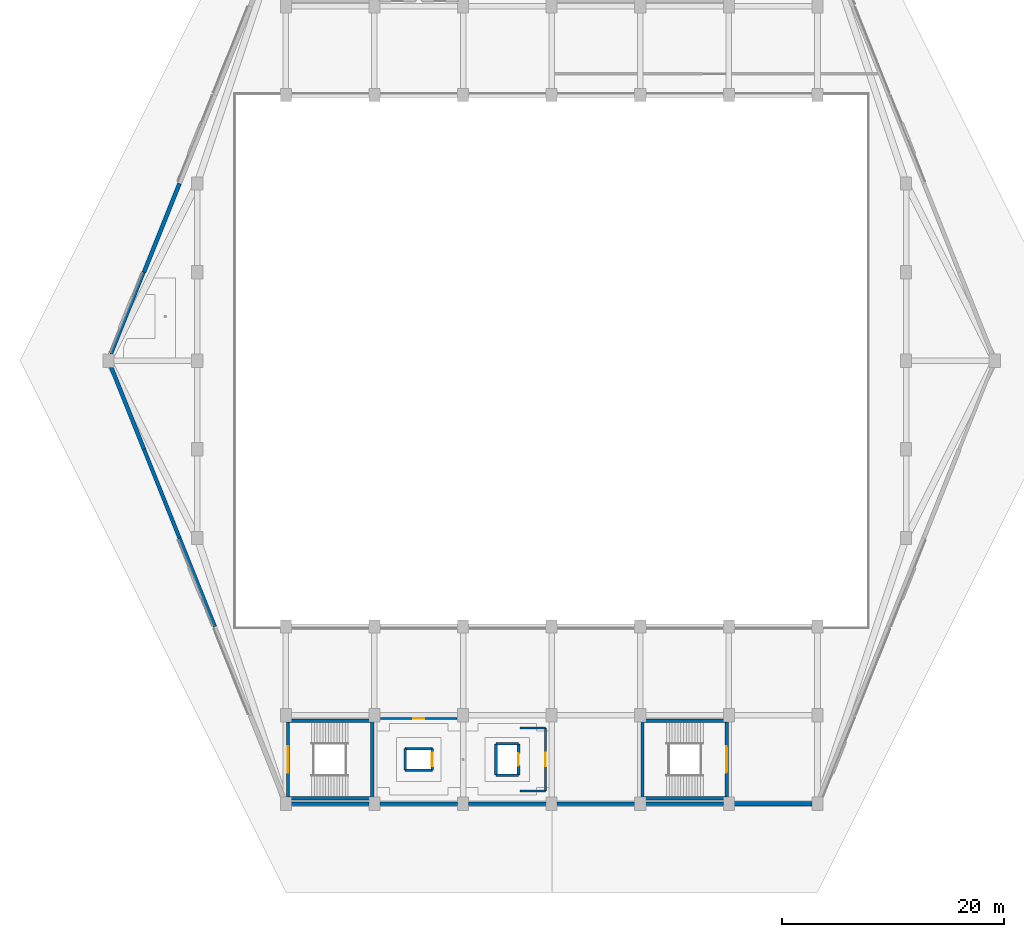
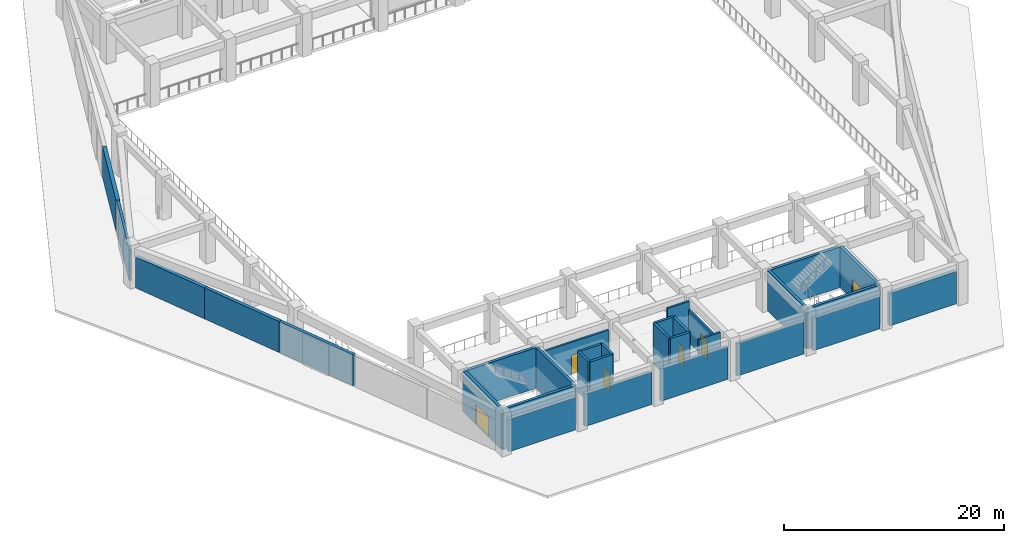
# One storey, part 2 of 8: 31 walls, 6 doors, 6 openings.
"""IFC4 building model written with IfcOpenShell, lengths in metres."""

import ifcopenshell
import ifcopenshell.guid

model = None  # the IFC model being written
_history = None  # IfcOwnerHistory: only IFC2X3 demands one
_inside = {}  # id of a spatial element -> (the spatial element, [elements in it])
_under = {}  # id of a project, library or spatial element -> (it, [spatial elements below it])
_declared = {}  # id of a project -> (the project, [libraries it declares])
_typed = {}  # id of a type object -> (the type object, [elements of that type])
_made_of = {}  # id of a material, layer set ... -> (it, [elements and type objects made of it])


def new_model(schema):
    """Start an empty IFC model of exactly this schema.

    Asked for "IFC4X3", IfcOpenShell would pick the latest addendum, in which some entities
    have other attributes; the version numbers below select the first issue.
    IFC2X3 requires an IfcOwnerHistory on every rooted entity: one is made here for all.
    """
    global model, _history
    if schema == "IFC4X3":
        model = ifcopenshell.file(schema_version=(4, 3, 0, 0))
    else:
        model = ifcopenshell.file(schema=schema)
    _inside.clear()
    _under.clear()
    _declared.clear()
    _typed.clear()
    _made_of.clear()
    _history = None
    if model.schema == "IFC2X3":
        org = make("IfcOrganization", Name="unknown")
        user = make(
            "IfcPersonAndOrganization",
            ThePerson=make("IfcPerson", FamilyName="unknown"),
            TheOrganization=org,
        )
        app = make(
            "IfcApplication",
            ApplicationDeveloper=org,
            Version="unknown",
            ApplicationFullName="unknown",
            ApplicationIdentifier="unknown",
        )
        _history = make(
            "IfcOwnerHistory",
            OwningUser=user,
            OwningApplication=app,
            ChangeAction="ADDED",
            CreationDate=0,
        )
    return model


def make(cls, **values):
    """One entity of the class cls with the attributes given. An attribute that is None is left unset."""
    return model.create_entity(
        cls, **{name: value for name, value in values.items() if value is not None}
    )


def rooted(cls, **values):
    """An entity with a GlobalId (a new one), such as an element, a storey or a relation."""
    return make(cls, GlobalId=ifcopenshell.guid.new(), OwnerHistory=_history, **values)


def si_unit(unit_type, name, prefix=None):
    """IfcSIUnit, for example si_unit("LENGTHUNIT", "METRE", prefix="MILLI")."""
    return make("IfcSIUnit", UnitType=unit_type, Prefix=prefix, Name=name)


def assignment(units):
    """IfcUnitAssignment: the units of a project."""
    return None if units is None else make("IfcUnitAssignment", Units=units)


def point(xyz):
    """IfcCartesianPoint."""
    return None if xyz is None else make("IfcCartesianPoint", Coordinates=xyz)


def direction(xyz):
    """IfcDirection."""
    return None if xyz is None else make("IfcDirection", DirectionRatios=xyz)


def frame(location, z_axis=None, x_axis=None):
    """IfcAxis2Placement3D, a coordinate frame: its origin and axes. An axis left out is left unset."""
    return make(
        "IfcAxis2Placement3D",
        Location=point(location),
        Axis=direction(z_axis),
        RefDirection=direction(x_axis),
    )


def frame_2d(location, x_axis=None):
    """IfcAxis2Placement2D, a coordinate frame in the plane: its origin and x axis."""
    return make(
        "IfcAxis2Placement2D", Location=point(location), RefDirection=direction(x_axis)
    )


def origin():
    """The frame at (0, 0, 0) with its axes left unset."""
    return frame((0.0, 0.0, 0.0))


def place(relative_to, where):
    """IfcLocalPlacement: puts the frame where relative to a parent placement (None: the world)."""
    return make(
        "IfcLocalPlacement", PlacementRelTo=relative_to, RelativePlacement=where
    )


def context(
    kind, dimensions, precision=None, world=None, true_north=None, identifier=None
):
    """IfcGeometricRepresentationContext, for example the 3D "Model" context."""
    return make(
        "IfcGeometricRepresentationContext",
        ContextIdentifier=identifier,
        ContextType=kind,
        CoordinateSpaceDimension=dimensions,
        Precision=precision,
        WorldCoordinateSystem=world,
        TrueNorth=true_north,
    )


def subcontext(parent, identifier, kind, view, scale=None):
    """IfcGeometricRepresentationSubContext, for example "Body" below "Model"."""
    return make(
        "IfcGeometricRepresentationSubContext",
        ContextIdentifier=identifier,
        ContextType=kind,
        ParentContext=parent,
        TargetScale=scale,
        TargetView=view,
    )


def project(units=None, contexts=None):
    """IfcProject with its units and contexts."""
    return rooted(
        "IfcProject",
        Name="project",
        RepresentationContexts=contexts,
        UnitsInContext=assignment(units),
    )


def spatial(cls, under=None, at=None, **own):
    """A site, building, storey or space (cls), placed at a placement, below another one or the project."""
    s = rooted(cls, ObjectPlacement=at, **own)
    if under is not None:
        _under.setdefault(under.id(), (under, []))[1].append(s)
    return s


def profile(cls, at=None, kind="AREA", **sizes):
    """A parametric profile (cls). Its sizes go by their IFC names, for example OverallWidth=200.0."""
    return make(cls, ProfileType=kind, Position=at, **sizes)


def rectangle(**sizes):
    """IfcRectangleProfileDef."""
    return profile("IfcRectangleProfileDef", **sizes)


def extrude(swept, where, along, depth):
    """IfcExtrudedAreaSolid: the profile swept, set in the frame where, extruded along a direction by depth."""
    return make(
        "IfcExtrudedAreaSolid",
        SweptArea=swept,
        Position=where,
        ExtrudedDirection=direction(along),
        Depth=depth,
    )


def shape(context_of_items, identifier, shape_type, items):
    """IfcShapeRepresentation: the items that make up one representation, for example the "Body"."""
    return make(
        "IfcShapeRepresentation",
        ContextOfItems=context_of_items,
        RepresentationIdentifier=identifier,
        RepresentationType=shape_type,
        Items=items,
    )


def material(Name=None, Category=None):
    """IfcMaterial."""
    return make("IfcMaterial", Name=Name, Category=Category)


def layer(
    of_material, thickness, ventilated=None, Name=None, Category=None, Priority=None
):
    """IfcMaterialLayer: one layer of a wall or slab, of a material (None: an air gap)."""
    return make(
        "IfcMaterialLayer",
        Material=of_material,
        LayerThickness=thickness,
        IsVentilated=ventilated,
        Name=Name,
        Category=Category,
        Priority=Priority,
    )


def layer_set(layers, Name=None):
    """IfcMaterialLayerSet."""
    return make("IfcMaterialLayerSet", MaterialLayers=layers, LayerSetName=Name)


def made_of(thing, what):
    """Note that an element or type object is made of a material, layer set ...; save() writes the relation."""
    if what is not None:
        _made_of.setdefault(what.id(), (what, []))[1].append(thing)
    return thing


def type_object(cls, material=None, **own):
    """A type object (cls), such as IfcWallType, which elements share."""
    return made_of(rooted(cls, **own), material)


def element(
    cls,
    number,
    at=None,
    inside=None,
    cuts=None,
    type_object=None,
    material=None,
    context=None,
    identifier="Body",
    shape_type=None,
    held_by="IfcProductDefinitionShape",
    body=None,
    shapes=None,
    **own,
):
    """One element of the class cls, such as IfcWall. Its Tag is "e" and its number.

    at: its placement. inside: the storey or other place that contains it. cuts: it is an
    opening in that element (IfcRelVoidsElement). A single representation is given by context,
    identifier, shape_type and body (its items); several are given by shapes. held_by: the class
    of the entity that holds the representations. save() writes the other relations.
    """
    e = rooted(cls, Tag="e%d" % number, ObjectPlacement=at, **own)
    if body is not None:
        shapes = [shape(context, identifier, shape_type, body)]
    if shapes is not None:
        e.Representation = make(held_by, Representations=shapes)
    if inside is not None:
        _inside.setdefault(inside.id(), (inside, []))[1].append(e)
    if cuts is not None:
        rooted(
            "IfcRelVoidsElement", RelatingBuildingElement=cuts, RelatedOpeningElement=e
        )
    if type_object is not None:
        _typed.setdefault(type_object.id(), (type_object, []))[1].append(e)
    return made_of(e, material)


def fill(opening, filler):
    """IfcRelFillsElement: the door or window that sits in an opening."""
    return rooted(
        "IfcRelFillsElement",
        RelatingOpeningElement=opening,
        RelatedBuildingElement=filler,
    )


def aggregate(whole, parts):
    """IfcRelAggregates: a whole, such as a stair, and the parts it consists of."""
    return rooted("IfcRelAggregates", RelatingObject=whole, RelatedObjects=parts)


def save(model, path):
    """Write the relations noted so far, then the file.

    IfcRelAggregates (storeys below a building ...), IfcRelContainedInSpatialStructure (elements
    in a storey), IfcRelDefinesByType, IfcRelAssociatesMaterial and IfcRelDeclares: one each for
    every whole, place, type object, material and project.
    """
    for whole, parts in _under.values():
        aggregate(whole, parts)
    for where, things in _inside.values():
        rooted(
            "IfcRelContainedInSpatialStructure",
            RelatedElements=things,
            RelatingStructure=where,
        )
    for kind, things in _typed.values():
        rooted("IfcRelDefinesByType", RelatedObjects=things, RelatingType=kind)
    for what, things in _made_of.values():
        rooted("IfcRelAssociatesMaterial", RelatedObjects=things, RelatingMaterial=what)
    for by, libraries in _declared.values():
        rooted("IfcRelDeclares", RelatingContext=by, RelatedDefinitions=libraries)
    model.write(path)


model = new_model("IFC4")

# Units and contexts
model_context = context("Model", 3, precision=1e-05, world=origin(), true_north=direction((0.0, 1.0)))
body_context = subcontext(model_context, "Body", "Model", "MODEL_VIEW")
ifc_project = project(units=[si_unit("LENGTHUNIT", "METRE"), si_unit("AREAUNIT", "SQUARE_METRE"), si_unit("VOLUMEUNIT", "CUBIC_METRE"), si_unit("PLANEANGLEUNIT", "RADIAN"), si_unit("MASSUNIT", "GRAM", prefix="KILO")], contexts=[model_context])

# Site, building, storey
site_placement = place(None, origin())
site = spatial("IfcSite", under=ifc_project, at=site_placement, CompositionType="ELEMENT")
building_placement = place(site_placement, origin())
building = spatial("IfcBuilding", under=site, at=building_placement, Name="Tazarka Park Arena", CompositionType="ELEMENT")
storey_placement = place(building_placement, frame((0.0, 0.0, 19.800048828125)))
storey = spatial("IfcBuildingStorey", under=building, at=storey_placement, Name="L04", CompositionType="ELEMENT", Elevation=19.800048828125)

# Wall
ifc_material_1 = material(Name="Concrete C40/50", Category="concrete")
ifc_layer_1 = layer(ifc_material_1, 0.300048828125, Name="Concrete C40/50")
ifc_layer_set_1 = layer_set([ifc_layer_1], Name="Concrete C40/50")
wall_type_1 = type_object("IfcWallType", Name="IWAL-CW-S1", PredefinedType="SHEAR", material=ifc_layer_set_1)
wall_1_placement = place(storey_placement, frame((71.800048828125, 24.5, 0.0), z_axis=(0.0, 0.0, 1.0), x_axis=(-1.0, 0.0, 0.0)))
element("IfcWall", 1, at=wall_1_placement, inside=storey, type_object=wall_type_1, Name="SCW-L04-ST09-S", PredefinedType="SHEAR", context=body_context, shape_type="SweptSolid", body=[
    extrude(rectangle(XDim=7.60009765625, YDim=0.300048828125, at=frame_2d((3.800048828125, 0.0))), origin(), (0.0, 0.0, 1.0), 4.5),
])

# Wall, opening, door
wall_2_placement = place(storey_placement, frame((64.199951171875, 24.5, 0.0), z_axis=(0.0, 0.0, 1.0), x_axis=(0.0, 1.0, 0.0)))
wall_2 = element("IfcWall", 2, at=wall_2_placement, inside=storey, type_object=wall_type_1, Name="SCW-L04-ST09-W", PredefinedType="SHEAR", context=body_context, shape_type="SweptSolid", body=[
    extrude(rectangle(XDim=7.0, YDim=0.300048828125, at=frame_2d((3.5, 0.0))), origin(), (0.0, 0.0, 1.0), 4.5),
])
opening_1_placement = place(wall_2_placement, frame((2.300048828125, 0.0, 0.0)))
opening_1 = element("IfcOpeningElement", 3, at=opening_1_placement, cuts=wall_2, Name="Opening ID-05", PredefinedType="OPENING", context=body_context, shape_type="SweptSolid", body=[
    extrude(rectangle(XDim=2.39990234375, YDim=2.199951171875, at=frame_2d((1.199951171875, 1.10009765625))), frame((0.0, 0.16015625, 0.0), z_axis=(0.0, -1.0, 0.0), x_axis=(1.0, 0.0, 0.0)), (0.0, 0.0, 1.0), 0.320068359375),
])
ifc_material_2 = material(Name="Fire-rated powder-coated steel and acoustic timber", Category="steel")
door_type_1 = type_object("IfcDoorType", Name="IDR-ID-05", OperationType="NOTDEFINED", PredefinedType="DOOR", material=ifc_material_2)
door_1_placement = place(opening_1_placement, frame((2.39990234375, 0.0, 0.0), z_axis=(0.0, 0.0, 1.0), x_axis=(-1.0, 0.0, 0.0)))
door_1 = element("IfcDoor", 4, at=door_1_placement, inside=storey, type_object=door_type_1, Name="Exit Stair Door ST09-L04", OperationType="DOUBLE_DOOR_SINGLE_SWING", OverallHeight=2.199951171875, OverallWidth=2.39990234375, PredefinedType="DOOR", context=body_context, shape_type="SweptSolid", body=[
    extrude(rectangle(XDim=2.39990234375, YDim=2.199951171875, at=frame_2d((1.199951171875, 1.10009765625))), frame((0.0, 0.02490234375, 0.0), z_axis=(0.0, -1.0, 0.0), x_axis=(1.0, 0.0, 0.0)), (0.0, 0.0, 1.0), 0.050048828125),
])
fill(opening_1, door_1)

# Walls
wall_3_placement = place(storey_placement, frame((64.199951171875, 31.5, 0.0), z_axis=(0.0, 0.0, 1.0), x_axis=(1.0, 0.0, 0.0)))
element("IfcWall", 5, at=wall_3_placement, inside=storey, type_object=wall_type_1, Name="SCW-L04-ST09-N", PredefinedType="SHEAR", context=body_context, shape_type="SweptSolid", body=[
    extrude(rectangle(XDim=7.60009765625, YDim=0.300048828125, at=frame_2d((3.800048828125, 0.0))), origin(), (0.0, 0.0, 1.0), 4.5),
])
wall_4_placement = place(storey_placement, frame((71.800048828125, 31.5, 0.0), z_axis=(0.0, 0.0, 1.0), x_axis=(0.0, -1.0, 0.0)))
element("IfcWall", 6, at=wall_4_placement, inside=storey, type_object=wall_type_1, Name="SCW-L04-ST09-E", PredefinedType="SHEAR", context=body_context, shape_type="SweptSolid", body=[
    extrude(rectangle(XDim=7.0, YDim=0.300048828125, at=frame_2d((3.5, 0.0))), origin(), (0.0, 0.0, 1.0), 4.5),
])
wall_5_placement = place(storey_placement, frame((103.800048828125, 24.5, 0.0), z_axis=(0.0, 0.0, 1.0), x_axis=(-1.0, 0.0, 0.0)))
element("IfcWall", 7, at=wall_5_placement, inside=storey, type_object=wall_type_1, Name="SCW-L04-ST11-S", PredefinedType="SHEAR", context=body_context, shape_type="SweptSolid", body=[
    extrude(rectangle(XDim=7.60009765625, YDim=0.300048828125, at=frame_2d((3.800048828125, 0.0))), origin(), (0.0, 0.0, 1.0), 4.5),
])
wall_6_placement = place(storey_placement, frame((96.199951171875, 24.5, 0.0), z_axis=(0.0, 0.0, 1.0), x_axis=(0.0, 1.0, 0.0)))
element("IfcWall", 8, at=wall_6_placement, inside=storey, type_object=wall_type_1, Name="SCW-L04-ST11-W", PredefinedType="SHEAR", context=body_context, shape_type="SweptSolid", body=[
    extrude(rectangle(XDim=7.0, YDim=0.300048828125, at=frame_2d((3.5, 0.0))), origin(), (0.0, 0.0, 1.0), 4.5),
])
wall_7_placement = place(storey_placement, frame((96.199951171875, 31.5, 0.0), z_axis=(0.0, 0.0, 1.0), x_axis=(1.0, 0.0, 0.0)))
element("IfcWall", 9, at=wall_7_placement, inside=storey, type_object=wall_type_1, Name="SCW-L04-ST11-N", PredefinedType="SHEAR", context=body_context, shape_type="SweptSolid", body=[
    extrude(rectangle(XDim=7.60009765625, YDim=0.300048828125, at=frame_2d((3.800048828125, 0.0))), origin(), (0.0, 0.0, 1.0), 4.5),
])

# Wall, opening, door
wall_8_placement = place(storey_placement, frame((103.800048828125, 31.5, 0.0), z_axis=(0.0, 0.0, 1.0), x_axis=(0.0, -1.0, 0.0)))
wall_8 = element("IfcWall", 10, at=wall_8_placement, inside=storey, type_object=wall_type_1, Name="SCW-L04-ST11-E", PredefinedType="SHEAR", context=body_context, shape_type="SweptSolid", body=[
    extrude(rectangle(XDim=7.0, YDim=0.300048828125, at=frame_2d((3.5, 0.0))), origin(), (0.0, 0.0, 1.0), 4.5),
])
opening_2_placement = place(wall_8_placement, frame((2.300048828125, 0.0, 0.0)))
opening_2 = element("IfcOpeningElement", 11, at=opening_2_placement, cuts=wall_8, Name="Opening ID-05", PredefinedType="OPENING", context=body_context, shape_type="SweptSolid", body=[
    extrude(rectangle(XDim=2.39990234375, YDim=2.199951171875, at=frame_2d((1.199951171875, 1.10009765625))), frame((0.0, 0.16015625, 0.0), z_axis=(0.0, -1.0, 0.0), x_axis=(1.0, 0.0, 0.0)), (0.0, 0.0, 1.0), 0.320068359375),
])
door_2_placement = place(opening_2_placement, frame((2.39990234375, 0.0, 0.0), z_axis=(0.0, 0.0, 1.0), x_axis=(-1.0, 0.0, 0.0)))
door_2 = element("IfcDoor", 12, at=door_2_placement, inside=storey, type_object=door_type_1, Name="Exit Stair Door ST11-L04", OperationType="DOUBLE_DOOR_SINGLE_SWING", OverallHeight=2.199951171875, OverallWidth=2.39990234375, PredefinedType="DOOR", context=body_context, shape_type="SweptSolid", body=[
    extrude(rectangle(XDim=2.39990234375, YDim=2.199951171875, at=frame_2d((1.199951171875, 1.10009765625))), frame((0.0, 0.02490234375, 0.0), z_axis=(0.0, -1.0, 0.0), x_axis=(1.0, 0.0, 0.0)), (0.0, 0.0, 1.0), 0.050048828125),
])
fill(opening_2, door_2)

# Walls
ifc_material_3 = material(Name="Concrete C40/50", Category="concrete")
ifc_layer_2 = layer(ifc_material_3, 0.260009765625, Name="Concrete C40/50")
ifc_layer_set_2 = layer_set([ifc_layer_2], Name="Concrete C40/50")
wall_type_2 = type_object("IfcWallType", Name="IWAL-CW-S3", PredefinedType="SHEAR", material=ifc_layer_set_2)
wall_9_placement = place(storey_placement, frame((82.97998046875, 26.580078125, 0.0), z_axis=(0.0, 0.0, 1.0), x_axis=(0.0, 1.0, 0.0)))
element("IfcWall", 13, at=wall_9_placement, inside=storey, type_object=wall_type_2, Name="LSW-L04-LF-04-W", PredefinedType="SHEAR", context=body_context, shape_type="SweptSolid", body=[
    extrude(rectangle(XDim=2.83984375, YDim=0.260009765625, at=frame_2d((1.419921875, 0.0))), origin(), (0.0, 0.0, 1.0), 4.5),
])
for number, where, z_axis, x_axis, name in (
    (14, (82.97998046875, 29.419921875, 0.0), (0.0, 0.0, 1.0), (1.0, 0.0, 0.0), "LSW-L04-LF-04-N"),
    (15, (85.02001953125, 26.580078125, 0.0), (0.0, 0.0, 1.0), (-1.0, 0.0, 0.0), "LSW-L04-LF-04-S"),
):
    element("IfcWall", number, at=place(storey_placement, frame(where, z_axis=z_axis, x_axis=x_axis)), inside=storey, type_object=wall_type_2, Name=name, PredefinedType="SHEAR", context=body_context, shape_type="SweptSolid", body=[
        extrude(rectangle(XDim=2.0400390625, YDim=0.260009765625, at=frame_2d((1.02001953125, 0.0))), origin(), (0.0, 0.0, 1.0), 4.5),
    ])

# Wall, opening, door
wall_10_placement = place(storey_placement, frame((85.02001953125, 29.419921875, 0.0), z_axis=(0.0, 0.0, 1.0), x_axis=(0.0, -1.0, 0.0)))
wall_10 = element("IfcWall", 16, at=wall_10_placement, inside=storey, type_object=wall_type_2, Name="LSW-L04-LF-04-E", PredefinedType="SHEAR", context=body_context, shape_type="SweptSolid", body=[
    extrude(rectangle(XDim=2.83984375, YDim=0.260009765625, at=frame_2d((1.419921875, 0.0))), origin(), (0.0, 0.0, 1.0), 4.5),
])
opening_3_placement = place(wall_10_placement, frame((0.8701171875, 0.0, 0.0)))
opening_3 = element("IfcOpeningElement", 17, at=opening_3_placement, cuts=wall_10, Name="Opening LD-01", PredefinedType="OPENING", context=body_context, shape_type="SweptSolid", body=[
    extrude(rectangle(XDim=1.10009765625, YDim=2.14990234375, at=frame_2d((0.550048828125, 1.074951171875))), frame((0.0, 0.14013671875, 0.0), z_axis=(0.0, -1.0, 0.0), x_axis=(1.0, 0.0, 0.0)), (0.0, 0.0, 1.0), 0.280029296875),
])
ifc_material_4 = material(Name="Fire-rated powder-coated steel and acoustic timber", Category="steel")
door_type_2 = type_object("IfcDoorType", Name="IDR-LD-01", OperationType="NOTDEFINED", PredefinedType="DOOR", material=ifc_material_4)
door_3_placement = place(opening_3_placement, origin())
door_3 = element("IfcDoor", 18, at=door_3_placement, inside=storey, type_object=door_type_2, Name="Lift Landing Door LF-04-L04", OperationType="SLIDING_TO_LEFT", OverallHeight=2.14990234375, OverallWidth=1.10009765625, PredefinedType="DOOR", context=body_context, shape_type="SweptSolid", body=[
    extrude(rectangle(XDim=1.10009765625, YDim=2.14990234375, at=frame_2d((0.550048828125, 1.074951171875))), frame((0.0, 0.02490234375, 0.0), z_axis=(0.0, -1.0, 0.0), x_axis=(1.0, 0.0, 0.0)), (0.0, 0.0, 1.0), 0.050048828125),
])
fill(opening_3, door_3)

# Walls
wall_11_placement = place(storey_placement, frame((74.780029296875, 27.030029296875, 0.0), z_axis=(0.0, 0.0, 1.0), x_axis=(0.0, 1.0, 0.0)))
element("IfcWall", 19, at=wall_11_placement, inside=storey, type_object=wall_type_2, Name="LSW-L04-LF-08-W", PredefinedType="SHEAR", context=body_context, shape_type="SweptSolid", body=[
    extrude(rectangle(XDim=1.93994140625, YDim=0.260009765625, at=frame_2d((0.969970703125, 0.0))), origin(), (0.0, 0.0, 1.0), 4.5),
])
for number, where, z_axis, x_axis, name in (
    (20, (74.780029296875, 28.969970703125, 0.0), (0.0, 0.0, 1.0), (1.0, 0.0, 0.0), "LSW-L04-LF-08-N"),
    (21, (77.219970703125, 27.030029296875, 0.0), (0.0, 0.0, 1.0), (-1.0, 0.0, 0.0), "LSW-L04-LF-08-S"),
):
    element("IfcWall", number, at=place(storey_placement, frame(where, z_axis=z_axis, x_axis=x_axis)), inside=storey, type_object=wall_type_2, Name=name, PredefinedType="SHEAR", context=body_context, shape_type="SweptSolid", body=[
        extrude(rectangle(XDim=2.43994140625, YDim=0.260009765625, at=frame_2d((1.219970703125, 0.0))), origin(), (0.0, 0.0, 1.0), 4.5),
    ])

# Wall, opening, door
wall_12_placement = place(storey_placement, frame((77.219970703125, 28.969970703125, 0.0), z_axis=(0.0, 0.0, 1.0), x_axis=(0.0, -1.0, 0.0)))
wall_12 = element("IfcWall", 22, at=wall_12_placement, inside=storey, type_object=wall_type_2, Name="LSW-L04-LF-08-E", PredefinedType="SHEAR", context=body_context, shape_type="SweptSolid", body=[
    extrude(rectangle(XDim=1.93994140625, YDim=0.260009765625, at=frame_2d((0.969970703125, 0.0))), origin(), (0.0, 0.0, 1.0), 4.5),
])
opening_4_placement = place(wall_12_placement, frame((0.3701171875, 0.0, 0.0)))
opening_4 = element("IfcOpeningElement", 23, at=opening_4_placement, cuts=wall_12, Name="Opening LD-02", PredefinedType="OPENING", context=body_context, shape_type="SweptSolid", body=[
    extrude(rectangle(XDim=1.199951171875, YDim=2.14990234375, at=frame_2d((0.60009765625, 1.074951171875))), frame((0.0, 0.14013671875, 0.0), z_axis=(0.0, -1.0, 0.0), x_axis=(1.0, 0.0, 0.0)), (0.0, 0.0, 1.0), 0.280029296875),
])
ifc_material_5 = material(Name="Fire-rated powder-coated steel and acoustic timber", Category="steel")
door_type_3 = type_object("IfcDoorType", Name="IDR-LD-02", OperationType="NOTDEFINED", PredefinedType="DOOR", material=ifc_material_5)
door_4_placement = place(opening_4_placement, origin())
door_4 = element("IfcDoor", 24, at=door_4_placement, inside=storey, type_object=door_type_3, Name="Lift Landing Door LF-08-L04", OperationType="SLIDING_TO_LEFT", OverallHeight=2.14990234375, OverallWidth=1.199951171875, PredefinedType="DOOR", context=body_context, shape_type="SweptSolid", body=[
    extrude(rectangle(XDim=1.199951171875, YDim=2.14990234375, at=frame_2d((0.60009765625, 1.074951171875))), frame((0.0, 0.02490234375, 0.0), z_axis=(0.0, -1.0, 0.0), x_axis=(1.0, 0.0, 0.0)), (0.0, 0.0, 1.0), 0.050048828125),
])
fill(opening_4, door_4)

# Walls
ifc_material_6 = material(Name="Reinforced masonry compartment wall", Category="masonry")
ifc_layer_3 = layer(ifc_material_6, 0.199951171875, Name="Reinforced masonry compartment wall")
ifc_layer_set_3 = layer_set([ifc_layer_3], Name="Reinforced masonry compartment wall")
wall_type_3 = type_object("IfcWallType", Name="IWAL-PT-04", PredefinedType="PARTITIONING", material=ifc_layer_set_3)
for number, where, z_axis, x_axis, name in (
    (25, (85.14990234375, 30.85009765625, 0.0), (0.0, 0.0, 1.0), (1.0, 0.0, 0.0), "FFW-L04-LF-04-N"),
    (26, (87.449951171875, 25.14990234375, 0.0), (0.0, 0.0, 1.0), (-1.0, 0.0, 0.0), "FFW-L04-LF-04-S"),
):
    element("IfcWall", number, at=place(storey_placement, frame(where, z_axis=z_axis, x_axis=x_axis)), inside=storey, type_object=wall_type_3, Name=name, PredefinedType="PARTITIONING", context=body_context, shape_type="SweptSolid", body=[
        extrude(rectangle(XDim=2.300048828125, YDim=0.199951171875, at=frame_2d((1.14990234375, 0.0))), origin(), (0.0, 0.0, 1.0), 4.5),
    ])

# Wall, opening, door
wall_13_placement = place(storey_placement, frame((87.449951171875, 30.85009765625, 0.0), z_axis=(0.0, 0.0, 1.0), x_axis=(0.0, -1.0, 0.0)))
wall_13 = element("IfcWall", 27, at=wall_13_placement, inside=storey, type_object=wall_type_3, Name="FFW-L04-LF-04-E", PredefinedType="PARTITIONING", context=body_context, shape_type="SweptSolid", body=[
    extrude(rectangle(XDim=5.7001953125, YDim=0.199951171875, at=frame_2d((2.85009765625, 0.0))), origin(), (0.0, 0.0, 1.0), 3.599853515625),
])
opening_5_placement = place(wall_13_placement, frame((2.25, 0.0, 0.0)))
opening_5 = element("IfcOpeningElement", 28, at=opening_5_placement, cuts=wall_13, Name="Opening ID-03", PredefinedType="OPENING", context=body_context, shape_type="SweptSolid", body=[
    extrude(rectangle(XDim=1.199951171875, YDim=2.199951171875, at=frame_2d((0.60009765625, 1.10009765625))), frame((0.0, 0.10986328125, 0.0), z_axis=(0.0, -1.0, 0.0), x_axis=(1.0, 0.0, 0.0)), (0.0, 0.0, 1.0), 0.219970703125),
])
ifc_material_7 = material(Name="Fire-rated powder-coated steel and acoustic timber", Category="steel")
door_type_4 = type_object("IfcDoorType", Name="IDR-ID-03", OperationType="NOTDEFINED", PredefinedType="DOOR", material=ifc_material_7)
door_5_placement = place(opening_5_placement, origin())
door_5 = element("IfcDoor", 29, at=door_5_placement, inside=storey, type_object=door_type_4, Name="Firefighting Lobby Door LF-04-L04", OperationType="SINGLE_SWING_LEFT", OverallHeight=2.199951171875, OverallWidth=1.199951171875, PredefinedType="DOOR", context=body_context, shape_type="SweptSolid", body=[
    extrude(rectangle(XDim=1.199951171875, YDim=2.199951171875, at=frame_2d((0.60009765625, 1.10009765625))), frame((0.0, 0.02490234375, 0.0), z_axis=(0.0, -1.0, 0.0), x_axis=(1.0, 0.0, 0.0)), (0.0, 0.0, 1.0), 0.050048828125),
])
fill(opening_5, door_5)

ifc_material_8 = material(Name="Acoustic broadcast studio partition")
ifc_layer_4 = layer(ifc_material_8, 0.219970703125, Name="Acoustic broadcast studio partition")
ifc_layer_set_4 = layer_set([ifc_layer_4], Name="Acoustic broadcast studio partition")
wall_type_4 = type_object("IfcWallType", Name="IWAL-PT-05", PredefinedType="PARTITIONING", material=ifc_layer_set_4)
wall_14_placement = place(storey_placement, frame((72.542236328125, 31.699951171875, 0.0), z_axis=(0.0, 0.0, 1.0), x_axis=(1.0, 0.0, 0.0)))
wall_14 = element("IfcWall", 30, at=wall_14_placement, inside=storey, type_object=wall_type_4, Name="PRT-L04-022", PredefinedType="PARTITIONING", context=body_context, shape_type="SweptSolid", body=[
    extrude(rectangle(XDim=6.91552734375, YDim=0.219970703125, at=frame_2d((3.457763671875, 0.0))), origin(), (0.0, 0.0, 1.0), 3.599853515625),
])
opening_6_placement = place(wall_14_placement, frame((2.98291015625, 0.0, 0.0)))
opening_6 = element("IfcOpeningElement", 31, at=opening_6_placement, cuts=wall_14, Name="Opening ID-09", PredefinedType="OPENING", context=body_context, shape_type="SweptSolid", body=[
    extrude(rectangle(XDim=0.949951171875, YDim=2.14990234375, at=frame_2d((0.47509765625, 1.074951171875))), frame((0.0, 0.1201171875, 0.0), z_axis=(0.0, -1.0, 0.0), x_axis=(1.0, 0.0, 0.0)), (0.0, 0.0, 1.0), 0.239990234375),
])
ifc_material_9 = material(Name="Fire-rated powder-coated steel and acoustic timber", Category="steel")
door_type_5 = type_object("IfcDoorType", Name="IDR-ID-09", OperationType="NOTDEFINED", PredefinedType="DOOR", material=ifc_material_9)
door_6_placement = place(opening_6_placement, origin())
door_6 = element("IfcDoor", 32, at=door_6_placement, inside=storey, type_object=door_type_5, Name="Room Door South Sky Hospitality Suite Ring", OperationType="SINGLE_SWING_RIGHT", OverallHeight=2.14990234375, OverallWidth=0.949951171875, PredefinedType="DOOR", context=body_context, shape_type="SweptSolid", body=[
    extrude(rectangle(XDim=0.949951171875, YDim=2.14990234375, at=frame_2d((0.47509765625, 1.074951171875))), frame((0.0, 0.02490234375, 0.0), z_axis=(0.0, -1.0, 0.0), x_axis=(1.0, 0.0, 0.0)), (0.0, 0.0, 1.0), 0.050048828125),
])
fill(opening_6, door_6)

# Walls
ifc_material_10 = material(Name="Precast concrete C40/50", Category="concrete")
ifc_layer_5 = layer(ifc_material_10, 0.320068359375, Name="Precast concrete C40/50")
ifc_layer_set_5 = layer_set([ifc_layer_5], Name="Precast concrete C40/50")
wall_type_5 = type_object("IfcWallType", Name="WAL-EW-02", PredefinedType="SOLIDWALL", material=ifc_layer_set_5)
wall_15_placement = place(storey_placement, frame((57.60009765625, 40.0, 0.0), z_axis=(0.0, 0.0, 1.0), x_axis=(-0.37141021739, 0.928468874232, 0.0)))
element("IfcWall", 33, at=wall_15_placement, inside=storey, type_object=wall_type_5, Name="EW-L04-0353", PredefinedType="SOLIDWALL", context=body_context, shape_type="SweptSolid", body=[
    extrude(rectangle(XDim=8.616455078125, YDim=0.320068359375, at=frame_2d((4.30810546875, 0.0))), origin(), (0.0, 0.0, 1.0), 3.449951171875),
])
ifc_material_11 = material(Name="Concrete C40/50", Category="concrete")
ifc_layer_6 = layer(ifc_material_11, 0.340087890625, Name="Concrete C40/50")
ifc_layer_set_6 = layer_set([ifc_layer_6], Name="Concrete C40/50")
wall_type_6 = type_object("IfcWallType", Name="WAL-EW-03", PredefinedType="SOLIDWALL", material=ifc_layer_set_6)
wall_16_placement = place(storey_placement, frame((54.39990234375, 48.0, 0.0), z_axis=(0.0, 0.0, 1.0), x_axis=(-0.371385791018, 0.928478645005, 0.0)))
element("IfcWall", 34, at=wall_16_placement, inside=storey, type_object=wall_type_6, Name="EW-L04-0354", PredefinedType="SOLIDWALL", context=body_context, shape_type="SweptSolid", body=[
    extrude(rectangle(XDim=8.6162109375, YDim=0.340087890625, at=frame_2d((4.30810546875, 0.0))), origin(), (0.0, 0.0, 1.0), 3.449951171875),
])
ifc_material_12 = material(Name="Concrete C40/50", Category="concrete")
ifc_layer_7 = layer(ifc_material_12, 0.360107421875, Name="Concrete C40/50")
ifc_layer_set_7 = layer_set([ifc_layer_7], Name="Concrete C40/50")
wall_type_7 = type_object("IfcWallType", Name="WAL-EW-04", PredefinedType="SOLIDWALL", material=ifc_layer_set_7)
wall_17_placement = place(storey_placement, frame((51.199951171875, 56.0, 0.0), z_axis=(0.0, 0.0, 1.0), x_axis=(-0.371395943584, 0.928474583976, 0.0)))
element("IfcWall", 35, at=wall_17_placement, inside=storey, type_object=wall_type_7, Name="EW-L04-0355", PredefinedType="SOLIDWALL", context=body_context, shape_type="SweptSolid", body=[
    extrude(rectangle(XDim=7.991455078125, YDim=0.360107421875, at=frame_2d((3.99560546875, 0.0))), origin(), (0.0, 0.0, 1.0), 3.449951171875),
])
ifc_material_13 = material(Name="Concrete C50/60", Category="concrete")
ifc_layer_8 = layer(ifc_material_13, 0.3798828125, Name="Concrete C50/60")
ifc_layer_set_8 = layer_set([ifc_layer_8], Name="Concrete C50/60")
wall_type_8 = type_object("IfcWallType", Name="WAL-EW-05", PredefinedType="SOLIDWALL", material=ifc_layer_set_8)
wall_18_placement = place(storey_placement, frame((111.52001953125, 24.0, 0.0), z_axis=(0.0, 0.0, 1.0), x_axis=(-1.0, 0.0, 0.0)))
element("IfcWall", 36, at=wall_18_placement, inside=storey, type_object=wall_type_8, Name="EW-L04-0324", PredefinedType="SOLIDWALL", context=body_context, shape_type="SweptSolid", body=[
    extrude(rectangle(XDim=7.0400390625, YDim=0.3798828125, at=frame_2d((3.52001953125, 0.0))), origin(), (0.0, 0.0, 1.0), 3.599853515625),
])
ifc_material_14 = material(Name="Precast concrete C40/50", Category="concrete")
ifc_layer_9 = layer(ifc_material_14, 0.280029296875, Name="Precast concrete C40/50")
ifc_layer_set_9 = layer_set([ifc_layer_9], Name="Precast concrete C40/50")
wall_type_9 = type_object("IfcWallType", Name="WAL-EW-06", PredefinedType="SOLIDWALL", material=ifc_layer_set_9)
wall_19_placement = place(storey_placement, frame((103.52001953125, 24.0, 0.0), z_axis=(0.0, 0.0, 1.0), x_axis=(-1.0, 0.0, 0.0)))
element("IfcWall", 37, at=wall_19_placement, inside=storey, type_object=wall_type_9, Name="EW-L04-0325", PredefinedType="SOLIDWALL", context=body_context, shape_type="SweptSolid", body=[
    extrude(rectangle(XDim=7.0400390625, YDim=0.280029296875, at=frame_2d((3.52001953125, 0.0))), origin(), (0.0, 0.0, 1.0), 3.599853515625),
])
ifc_material_15 = material(Name="Precast concrete C40/50", Category="concrete")
ifc_layer_10 = layer(ifc_material_15, 0.2900390625, Name="Precast concrete C40/50")
ifc_layer_set_10 = layer_set([ifc_layer_10], Name="Precast concrete C40/50")
wall_type_10 = type_object("IfcWallType", Name="WAL-EW-07", PredefinedType="SOLIDWALL", material=ifc_layer_set_10)
wall_20_placement = place(storey_placement, frame((95.52001953125, 24.0, 0.0), z_axis=(0.0, 0.0, 1.0), x_axis=(-1.0, 0.0, 0.0)))
element("IfcWall", 38, at=wall_20_placement, inside=storey, type_object=wall_type_10, Name="EW-L04-0326", PredefinedType="SOLIDWALL", context=body_context, shape_type="SweptSolid", body=[
    extrude(rectangle(XDim=7.0400390625, YDim=0.2900390625, at=frame_2d((3.52001953125, 0.0))), origin(), (0.0, 0.0, 1.0), 3.599853515625),
])
ifc_material_16 = material(Name="Precast concrete C40/50", Category="concrete")
ifc_layer_11 = layer(ifc_material_16, 0.31005859375, Name="Precast concrete C40/50")
ifc_layer_set_11 = layer_set([ifc_layer_11], Name="Precast concrete C40/50")
wall_type_11 = type_object("IfcWallType", Name="WAL-EW-08", PredefinedType="SOLIDWALL", material=ifc_layer_set_11)
wall_21_placement = place(storey_placement, frame((87.52001953125, 24.0, 0.0), z_axis=(0.0, 0.0, 1.0), x_axis=(-1.0, 0.0, 0.0)))
element("IfcWall", 39, at=wall_21_placement, inside=storey, type_object=wall_type_11, Name="EW-L04-0327", PredefinedType="SOLIDWALL", context=body_context, shape_type="SweptSolid", body=[
    extrude(rectangle(XDim=7.0400390625, YDim=0.31005859375, at=frame_2d((3.52001953125, 0.0))), origin(), (0.0, 0.0, 1.0), 3.599853515625),
])
ifc_material_17 = material(Name="Concrete C40/50", Category="concrete")
ifc_layer_12 = layer(ifc_material_17, 0.330078125, Name="Concrete C40/50")
ifc_layer_set_12 = layer_set([ifc_layer_12], Name="Concrete C40/50")
wall_type_12 = type_object("IfcWallType", Name="WAL-EW-09", PredefinedType="SOLIDWALL", material=ifc_layer_set_12)
wall_22_placement = place(storey_placement, frame((79.52001953125, 24.0, 0.0), z_axis=(0.0, 0.0, 1.0), x_axis=(-1.0, 0.0, 0.0)))
element("IfcWall", 40, at=wall_22_placement, inside=storey, type_object=wall_type_12, Name="EW-L04-0328", PredefinedType="SOLIDWALL", context=body_context, shape_type="SweptSolid", body=[
    extrude(rectangle(XDim=7.0400390625, YDim=0.330078125, at=frame_2d((3.52001953125, 0.0))), origin(), (0.0, 0.0, 1.0), 3.599853515625),
])
ifc_material_18 = material(Name="Concrete C40/50", Category="concrete")
ifc_layer_13 = layer(ifc_material_18, 0.35009765625, Name="Concrete C40/50")
ifc_layer_set_13 = layer_set([ifc_layer_13], Name="Concrete C40/50")
wall_type_13 = type_object("IfcWallType", Name="WAL-EW-10", PredefinedType="SOLIDWALL", material=ifc_layer_set_13)
wall_23_placement = place(storey_placement, frame((71.52001953125, 24.0, 0.0), z_axis=(0.0, 0.0, 1.0), x_axis=(-1.0, 0.0, 0.0)))
element("IfcWall", 41, at=wall_23_placement, inside=storey, type_object=wall_type_13, Name="EW-L04-0329", PredefinedType="SOLIDWALL", context=body_context, shape_type="SweptSolid", body=[
    extrude(rectangle(XDim=7.0400390625, YDim=0.35009765625, at=frame_2d((3.52001953125, 0.0))), origin(), (0.0, 0.0, 1.0), 3.599853515625),
])
ifc_material_19 = material(Name="Precast concrete C40/50", Category="concrete")
ifc_layer_14 = layer(ifc_material_19, 0.27001953125, Name="Precast concrete C40/50")
ifc_layer_set_14 = layer_set([ifc_layer_14], Name="Precast concrete C40/50")
wall_type_14 = type_object("IfcWallType", Name="WAL-EW-11", PredefinedType="SOLIDWALL", material=ifc_layer_set_14)
wall_24_placement = place(storey_placement, frame((48.23193359375, 64.580078125, 0.0), z_axis=(0.0, 0.0, 1.0), x_axis=(0.371395943584, 0.928474583976, 0.0)))
element("IfcWall", 42, at=wall_24_placement, inside=storey, type_object=wall_type_14, Name="EW-L04-0346", PredefinedType="SOLIDWALL", context=body_context, shape_type="SweptSolid", body=[
    extrude(rectangle(XDim=7.991455078125, YDim=0.27001953125, at=frame_2d((3.99560546875, 0.0))), origin(), (0.0, 0.0, 1.0), 3.449951171875),
])
ifc_material_20 = material(Name="Concrete C40/50", Category="concrete")
ifc_layer_15 = layer(ifc_material_20, 0.3701171875, Name="Concrete C40/50")
ifc_layer_set_15 = layer_set([ifc_layer_15], Name="Concrete C40/50")
wall_type_15 = type_object("IfcWallType", Name="WAL-EW-12", PredefinedType="SOLIDWALL", material=ifc_layer_set_15)
wall_25_placement = place(storey_placement, frame((51.199951171875, 72.0, 0.0), z_axis=(0.0, 0.0, 1.0), x_axis=(0.371385791018, 0.928478645005, 0.0)))
element("IfcWall", 43, at=wall_25_placement, inside=storey, type_object=wall_type_15, Name="EW-L04-0347", PredefinedType="SOLIDWALL", context=body_context, shape_type="SweptSolid", body=[
    extrude(rectangle(XDim=8.6162109375, YDim=0.3701171875, at=frame_2d((4.30810546875, 0.0))), origin(), (0.0, 0.0, 1.0), 3.449951171875),
])

save(model, "model.ifc")
